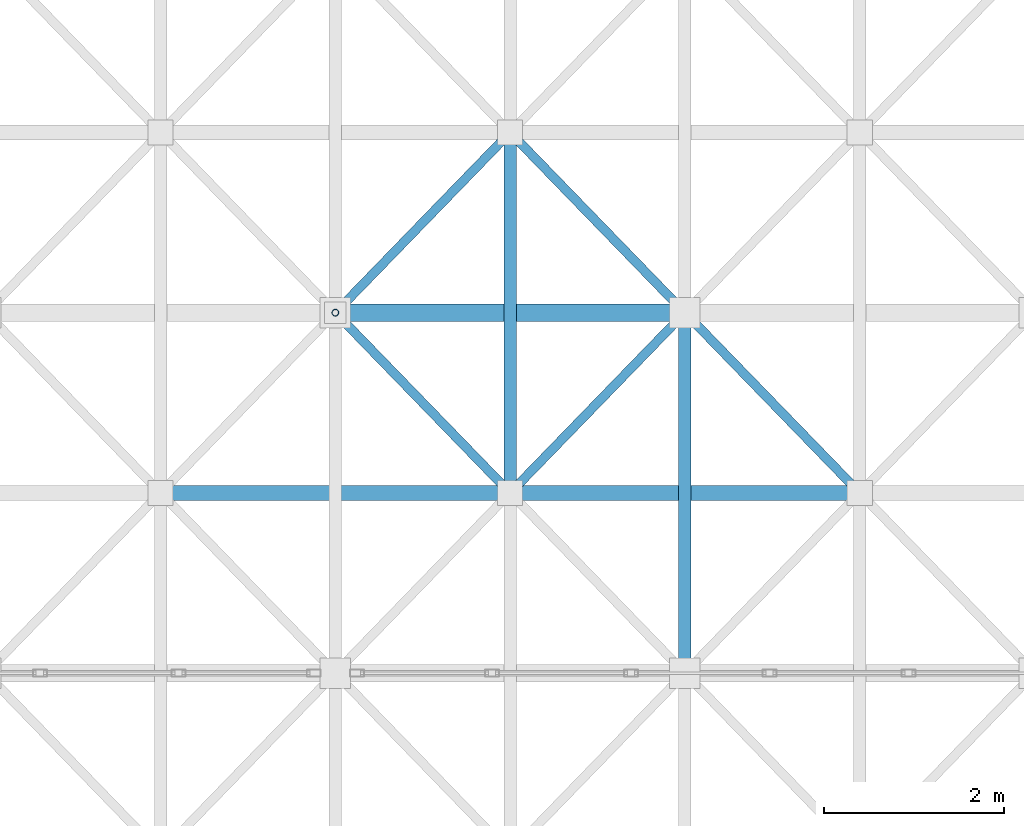
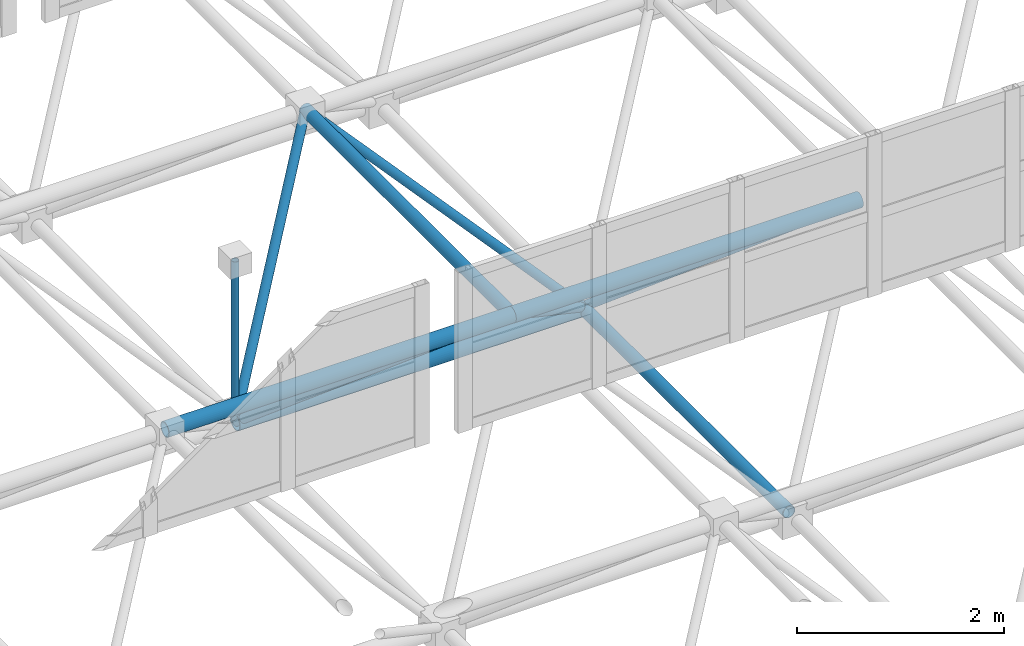
# One storey, part 57 of 195: 11 members.
"""IFC4 building model written with IfcOpenShell, lengths in metres."""

from ifc_helpers import new_model, si_unit, direction, frame, origin, origin_2d, place, context, subcontext, project, spatial, hollow_circle, extrude, material, material_profile, profile_set, type_object, element, save


model = new_model("IFC4")

# Units and contexts
model_context = context("Model", 3, precision=1e-05, world=origin(), true_north=direction((0.0, 1.0)))
body_context = subcontext(model_context, "Body", "Model", "MODEL_VIEW")
ifc_project = project(units=[si_unit("LENGTHUNIT", "METRE"), si_unit("AREAUNIT", "SQUARE_METRE"), si_unit("VOLUMEUNIT", "CUBIC_METRE"), si_unit("PLANEANGLEUNIT", "RADIAN"), si_unit("MASSUNIT", "GRAM", prefix="KILO")], contexts=[model_context])

# Site, building, storey
site_placement = place(None, origin())
site = spatial("IfcSite", under=ifc_project, at=site_placement, CompositionType="ELEMENT")
building_placement = place(site_placement, origin())
building = spatial("IfcBuilding", under=site, at=building_placement, Name="Kharva Crest Polytechnic", CompositionType="ELEMENT")
storey_placement = place(building_placement, frame((0.0, 0.0, 9.0)))
storey = spatial("IfcBuildingStorey", under=building, at=storey_placement, Name="L02", CompositionType="ELEMENT", Elevation=9.0)

# Members
ifc_material = material(Name="Steel S355", Category="steel")
ifc_material_profile_1 = material_profile(ifc_material, hollow_circle(Radius=0.05078125, WallThickness=0.0048828125, at=origin_2d()), Name="CHS 101.6X5.0")
ifc_profile_set_1 = profile_set([ifc_material_profile_1], Name="Steel S355")
member_type_1 = type_object("IfcMemberType", Name="MEM-CHS101", PredefinedType="BRACE", material=ifc_profile_set_1)
for number, where, z_axis, x_axis, name in (
    (1, (16.0, 50.800048828125, 0.60009765625), (0.584843378742, -0.602949529154, 0.542595694449), (0.717802189577, 0.696247094528, 0.0), "Space Frame Web Diagonal 683"),
    (2, (19.8798828125, 50.800048828125, 0.60009765625), (-0.584843378742, -0.602949529154, 0.542595694449), (0.717802189577, -0.696247094528, 0.0), "Space Frame Web Diagonal 684"),
    (3, (16.0, 50.800048828125, 0.60009765625), (0.584843378742, 0.602949529154, 0.542595694449), (-0.717802189577, 0.696247094528, 0.0), "Space Frame Web Diagonal 685"),
    (4, (19.8798828125, 50.800048828125, 0.60009765625), (-0.584843378742, 0.602949529154, 0.542595694449), (-0.717802189577, -0.696247094528, 0.0), "Space Frame Web Diagonal 686"),
    (5, (19.8798828125, 50.800048828125, 0.60009765625), (0.584891802813, -0.602923574763, 0.542572338032), (0.717758400015, 0.696292236929, 0.0), "Space Frame Web Diagonal 739"),
):
    element("IfcMember", number, at=place(storey_placement, frame(where, z_axis=z_axis, x_axis=x_axis)), inside=storey, type_object=member_type_1, Name=name, PredefinedType="BRACE", context=body_context, shape_type="SweptSolid", body=[
        extrude(hollow_circle(Radius=0.05078125, WallThickness=0.0048828125, at=origin_2d()), origin(), (0.0, 0.0, 1.0), 3.317138671875),
    ])
ifc_material_profile_2 = material_profile(ifc_material, hollow_circle(Radius=0.06982421875, WallThickness=0.00634765625, at=origin_2d()), Name="CHS 139.7X6.3")
ifc_profile_set_2 = profile_set([ifc_material_profile_2], Name="Steel S355")
member_type_2 = type_object("IfcMemberType", Name="MEM-CHS139", PredefinedType="CHORD", material=ifc_profile_set_2)
for number, where, z_axis, x_axis, name in (
    (6, (19.8798828125, 46.800048828125, 0.60009765625), (0.0, 1.0, 0.0), (-1.0, 0.0, 0.0), "Space Frame Bottom Chord Y 193"),
    (7, (17.93994140625, 48.800048828125, 2.39990234375), (0.0, 1.0, 0.0), (-1.0, 0.0, 0.0), "Space Frame Top Chord Y 399"),
):
    element("IfcMember", number, at=place(storey_placement, frame(where, z_axis=z_axis, x_axis=x_axis)), inside=storey, type_object=member_type_2, Name=name, PredefinedType="CHORD", context=body_context, shape_type="SweptSolid", body=[
        extrude(hollow_circle(Radius=0.06982421875, WallThickness=0.00634765625, at=origin_2d()), origin(), (0.0, 0.0, 1.0), 4.0),
    ])
ifc_material_profile_3 = material_profile(ifc_material, hollow_circle(Radius=0.084228515625, WallThickness=0.008056640625, at=origin_2d()), Name="CHS 168.3X8.0")
ifc_profile_set_3 = profile_set([ifc_material_profile_3], Name="Steel S355")
member_type_3 = type_object("IfcMemberType", Name="MEM-CHS168", PredefinedType="CHORD", material=ifc_profile_set_3)
member_1_placement = place(storey_placement, frame((14.06005859375, 48.800048828125, 2.39990234375), z_axis=(1.0, 0.0, 0.0), x_axis=(0.0, 1.0, 0.0)))
element("IfcMember", 8, at=member_1_placement, inside=storey, type_object=member_type_3, Name="Space Frame Top Chord X 264", PredefinedType="CHORD", context=body_context, shape_type="SweptSolid", body=[
    extrude(hollow_circle(Radius=0.084228515625, WallThickness=0.008056640625, at=origin_2d()), origin(), (0.0, 0.0, 1.0), 3.8798828125),
])
member_2_placement = place(storey_placement, frame((17.93994140625, 48.800048828125, 2.39990234375), z_axis=(1.0, 0.0, 0.0), x_axis=(0.0, 1.0, 0.0)))
element("IfcMember", 9, at=member_2_placement, inside=storey, type_object=member_type_3, Name="Space Frame Top Chord X 265", PredefinedType="CHORD", context=body_context, shape_type="SweptSolid", body=[
    extrude(hollow_circle(Radius=0.084228515625, WallThickness=0.008056640625, at=origin_2d()), origin(), (0.0, 0.0, 1.0), 3.880126953125),
])
ifc_material_profile_4 = material_profile(ifc_material, hollow_circle(Radius=0.096923828125, WallThickness=0.008056640625, at=origin_2d()), Name="CHS 193.7X8.0")
ifc_profile_set_4 = profile_set([ifc_material_profile_4], Name="Steel S355")
member_type_4 = type_object("IfcMemberType", Name="MEM-CHS193", PredefinedType="CHORD", material=ifc_profile_set_4)
member_3_placement = place(storey_placement, frame((16.0, 50.800048828125, 0.60009765625), z_axis=(1.0, 0.0, 0.0), x_axis=(0.0, 1.0, 0.0)))
element("IfcMember", 10, at=member_3_placement, inside=storey, type_object=member_type_4, Name="Space Frame Bottom Chord X 29", PredefinedType="CHORD", context=body_context, shape_type="SweptSolid", body=[
    extrude(hollow_circle(Radius=0.096923828125, WallThickness=0.008056640625, at=origin_2d()), origin(), (0.0, 0.0, 1.0), 3.8798828125),
])
ifc_material_profile_5 = material_profile(ifc_material, hollow_circle(Radius=0.0380859375, WallThickness=0.00390625, at=origin_2d()), Name="CHS 76.1X4.0")
ifc_profile_set_5 = profile_set([ifc_material_profile_5], Name="Steel S355")
member_type_5 = type_object("IfcMemberType", Name="MEM-CHS76-ST", PredefinedType="STRUT", material=ifc_profile_set_5)
member_4_placement = place(storey_placement, frame((16.0, 50.800048828125, 0.60009765625), z_axis=(0.0, 0.0, 1.0), x_axis=(1.0, 0.0, 0.0)))
element("IfcMember", 11, at=member_4_placement, inside=storey, type_object=member_type_5, Name="Space Frame Ridge Strut 3", PredefinedType="STRUT", context=body_context, shape_type="SweptSolid", body=[
    extrude(hollow_circle(Radius=0.0380859375, WallThickness=0.00390625, at=origin_2d()), origin(), (0.0, 0.0, 1.0), 1.911865234375),
])

save(model, "model.ifc")
